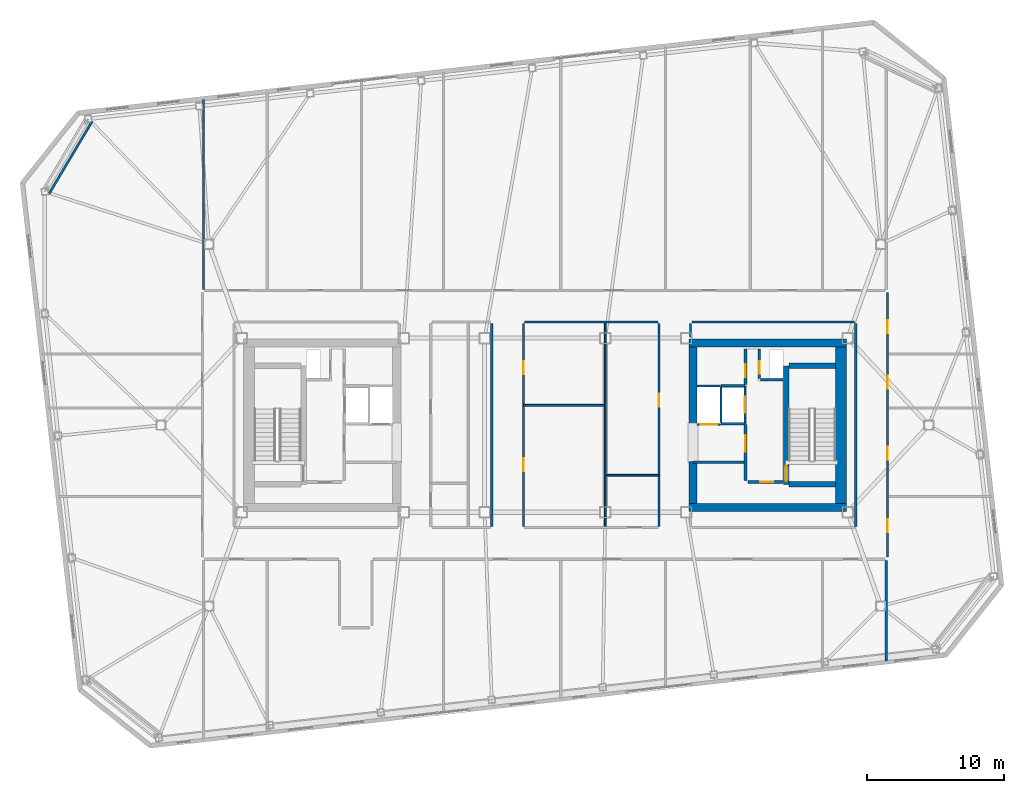
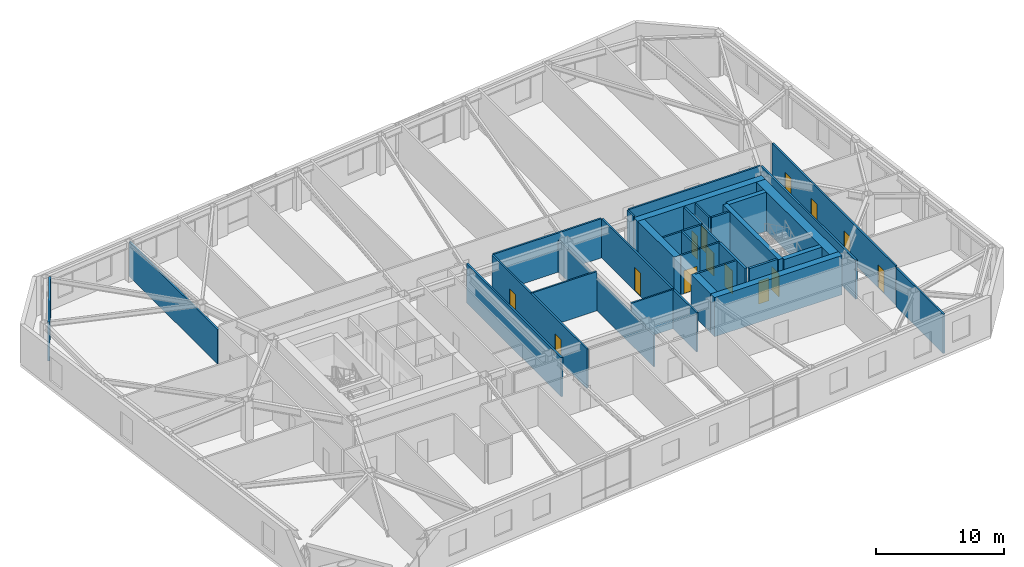
# One storey, part 14 of 19: 34 walls, 14 doors, 14 openings.
"""IFC4 building model written with IfcOpenShell, lengths in metres."""

from ifc_helpers import new_model, si_unit, direction, frame, frame_2d, origin, place, context, subcontext, project, spatial, rectangle, extrude, material, layer, layer_set, type_object, element, fill, save


model = new_model("IFC4")

# Units and contexts
model_context = context("Model", 3, precision=1e-05, world=origin(), true_north=direction((0.0, 1.0)))
body_context = subcontext(model_context, "Body", "Model", "MODEL_VIEW")
ifc_project = project(units=[si_unit("LENGTHUNIT", "METRE"), si_unit("AREAUNIT", "SQUARE_METRE"), si_unit("VOLUMEUNIT", "CUBIC_METRE"), si_unit("PLANEANGLEUNIT", "RADIAN"), si_unit("MASSUNIT", "GRAM", prefix="KILO")], contexts=[model_context])

# Site, building, storey
site_placement = place(None, origin())
site = spatial("IfcSite", under=ifc_project, at=site_placement, CompositionType="ELEMENT")
building_placement = place(site_placement, origin())
building = spatial("IfcBuilding", under=site, at=building_placement, Name="Tavrogorsk Clinical Tower", CompositionType="ELEMENT")
storey_placement = place(building_placement, frame((0.0, 0.0, 259.0)))
storey = spatial("IfcBuildingStorey", under=building, at=storey_placement, Name="L60", CompositionType="ELEMENT", Elevation=259.0)

# Wall, opening, door
ifc_material_1 = material(Name="Concrete B60", Category="concrete")
ifc_layer_1 = layer(ifc_material_1, 0.199951171875)
ifc_layer_set_1 = layer_set([ifc_layer_1], Name="Concrete B60")
wall_type_1 = type_object("IfcWallType", Name="CoreFireWall_200", PredefinedType="SOLIDWALL", material=ifc_layer_set_1)
wall_1_placement = place(storey_placement, frame((14.824951171875, -4.139892578125, 0.0), z_axis=(0.0, 0.0, 1.0), x_axis=(1.0, 0.0, 0.0)))
wall_1 = element("IfcWall", 1, at=wall_1_placement, inside=storey, type_object=wall_type_1, Name="L60 Core East South Core Room Fire Wall", PredefinedType="SOLIDWALL", context=body_context, shape_type="SweptSolid", body=[
    extrude(rectangle(XDim=2.554931640625, YDim=0.199951171875, at=frame_2d((1.27734375, 0.0))), origin(), (0.0, 0.0, 1.0), 3.739990234375),
])
opening_1_placement = place(wall_1_placement, frame((0.8798828125, 0.0, 0.0)))
opening_1 = element("IfcOpeningElement", 2, at=opening_1_placement, cuts=wall_1, Name="Opening ID-02", PredefinedType="OPENING", context=body_context, shape_type="SweptSolid", body=[
    extrude(rectangle(XDim=0.949951171875, YDim=2.199951171875, at=frame_2d((0.47509765625, 1.10009765625))), frame((0.0, 0.10986328125, 0.0), z_axis=(0.0, -1.0, 0.0), x_axis=(1.0, 0.0, 0.0)), (0.0, 0.0, 1.0), 0.219970703125),
])
ifc_material_2 = material(Name="Laminated timber leaf on aluminium frame", Category="wood")
door_type_1 = type_object("IfcDoorType", Name="InteriorDoor_ID02_950", OperationType="NOTDEFINED", PredefinedType="DOOR", material=ifc_material_2)
door_1_placement = place(opening_1_placement, origin())
door_1 = element("IfcDoor", 3, at=door_1_placement, inside=storey, type_object=door_type_1, Name="L60 Core East South Core Room Door", OperationType="SINGLE_SWING_RIGHT", OverallHeight=2.199951171875, OverallWidth=0.949951171875, PredefinedType="DOOR", context=body_context, shape_type="SweptSolid", body=[
    extrude(rectangle(XDim=0.949951171875, YDim=2.199951171875, at=frame_2d((0.47509765625, 1.10009765625))), frame((0.0, 0.02490234375, 0.0), z_axis=(0.0, -1.0, 0.0), x_axis=(1.0, 0.0, 0.0)), (0.0, 0.0, 1.0), 0.050048828125),
])
fill(opening_1, door_1)

wall_2_placement = place(storey_placement, frame((14.639892578125, 2.9599609375, 0.0), z_axis=(0.0, 0.0, 1.0), x_axis=(0.0, 1.0, 0.0)))
wall_2 = element("IfcWall", 4, at=wall_2_placement, inside=storey, type_object=wall_type_1, Name="L60 Core East North Core Room East Wall", PredefinedType="SOLIDWALL", context=body_context, shape_type="SweptSolid", body=[
    extrude(rectangle(XDim=2.60009765625, YDim=0.199951171875, at=frame_2d((1.300048828125, 0.0))), origin(), (0.0, 0.0, 1.0), 3.739990234375),
])
opening_2_placement = place(wall_2_placement, frame((0.52001953125, 0.0, 0.0)))
opening_2 = element("IfcOpeningElement", 5, at=opening_2_placement, cuts=wall_2, Name="Opening ID-02", PredefinedType="OPENING", context=body_context, shape_type="SweptSolid", body=[
    extrude(rectangle(XDim=0.949951171875, YDim=2.199951171875, at=frame_2d((0.47509765625, 1.10009765625))), frame((0.0, 0.10986328125, 0.0), z_axis=(0.0, -1.0, 0.0), x_axis=(1.0, 0.0, 0.0)), (0.0, 0.0, 1.0), 0.219970703125),
])
door_2_placement = place(opening_2_placement, origin())
door_2 = element("IfcDoor", 6, at=door_2_placement, inside=storey, type_object=door_type_1, Name="L60 Core East Core Telemetry Room Door", OperationType="SINGLE_SWING_LEFT", OverallHeight=2.199951171875, OverallWidth=0.949951171875, PredefinedType="DOOR", context=body_context, shape_type="SweptSolid", body=[
    extrude(rectangle(XDim=0.949951171875, YDim=2.199951171875, at=frame_2d((0.47509765625, 1.10009765625))), frame((0.0, 0.02490234375, 0.0), z_axis=(0.0, -1.0, 0.0), x_axis=(1.0, 0.0, 0.0)), (0.0, 0.0, 1.0), 0.050048828125),
])
fill(opening_2, door_2)

wall_3_placement = place(storey_placement, frame((14.639892578125, -4.034912109375, 0.0), z_axis=(0.0, 0.0, 1.0), x_axis=(0.0, 1.0, 0.0)))
wall_3 = element("IfcWall", 7, at=wall_3_placement, inside=storey, type_object=wall_type_1, Name="L60 Core East Firefighting Lobby Fire Wall", PredefinedType="SOLIDWALL", context=body_context, shape_type="SweptSolid", body=[
    extrude(rectangle(XDim=4.074951171875, YDim=0.199951171875, at=frame_2d((2.03759765625, 0.0))), origin(), (0.0, 0.0, 1.0), 3.739990234375),
])
opening_3_placement = place(wall_3_placement, frame((2.090087890625, 0.0, 0.0)))
opening_3 = element("IfcOpeningElement", 8, at=opening_3_placement, cuts=wall_3, Name="Opening FD-01", PredefinedType="OPENING", context=body_context, shape_type="SweptSolid", body=[
    extrude(rectangle(XDim=1.199951171875, YDim=2.199951171875, at=frame_2d((0.60009765625, 1.10009765625))), frame((0.0, 0.10986328125, 0.0), z_axis=(0.0, -1.0, 0.0), x_axis=(1.0, 0.0, 0.0)), (0.0, 0.0, 1.0), 0.219970703125),
])
ifc_material_3 = material(Name="Galvanised steel fire-rated door assembly", Category="steel")
door_type_2 = type_object("IfcDoorType", Name="FireDoor_FD01_1200", OperationType="NOTDEFINED", PredefinedType="DOOR", material=ifc_material_3)
door_3_placement = place(opening_3_placement, origin())
door_3 = element("IfcDoor", 9, at=door_3_placement, inside=storey, type_object=door_type_2, Name="L60 Core East Firefighting Lobby Entry Door", OperationType="SINGLE_SWING_RIGHT", OverallHeight=2.199951171875, OverallWidth=1.199951171875, PredefinedType="DOOR", context=body_context, shape_type="SweptSolid", body=[
    extrude(rectangle(XDim=1.199951171875, YDim=2.199951171875, at=frame_2d((0.60009765625, 1.10009765625))), frame((0.0, 0.02490234375, 0.0), z_axis=(0.0, -1.0, 0.0), x_axis=(1.0, 0.0, 0.0)), (0.0, 0.0, 1.0), 0.050048828125),
])
fill(opening_3, door_3)

# Walls
ifc_material_4 = material(Name="Lightweight concrete blockwork B15", Category="masonry")
ifc_layer_2 = layer(ifc_material_4, 0.139892578125)
ifc_layer_set_2 = layer_set([ifc_layer_2], Name="Lightweight concrete blockwork B15")
wall_type_2 = type_object("IfcWallType", Name="PartitionWall_140", PredefinedType="PARTITIONING", material=ifc_layer_set_2)
wall_4_placement = place(storey_placement, frame((4.39990234375, -7.465087890625, 0.0), z_axis=(0.0, 0.0, 1.0), x_axis=(0.0, 1.0, 0.0)))
element("IfcWall", 10, at=wall_4_placement, inside=storey, type_object=wall_type_2, Name="L60 Central Spine Partition 2", PredefinedType="PARTITIONING", context=body_context, shape_type="SweptSolid", body=[
    extrude(rectangle(XDim=14.97998046875, YDim=0.139892578125, at=frame_2d((7.489990234375, 0.0))), origin(), (0.0, 0.0, 1.0), 3.034912109375),
])
wall_5_placement = place(storey_placement, frame((-1.56494140625, 1.449951171875, 0.0), z_axis=(0.0, 0.0, 1.0), x_axis=(1.0, 0.0, 0.0)))
element("IfcWall", 11, at=wall_5_placement, inside=storey, type_object=wall_type_2, Name="L60 Central Spine Partition 3", PredefinedType="PARTITIONING", context=body_context, shape_type="SweptSolid", body=[
    extrude(rectangle(XDim=5.889892578125, YDim=0.139892578125, at=frame_2d((2.94482421875, 0.0))), origin(), (0.0, 0.0, 1.0), 3.739990234375),
])
wall_6_placement = place(storey_placement, frame((4.47509765625, -3.64990234375, 0.0), z_axis=(0.0, 0.0, 1.0), x_axis=(1.0, 0.0, 0.0)))
element("IfcWall", 12, at=wall_6_placement, inside=storey, type_object=wall_type_2, Name="L60 Central Spine Partition 5", PredefinedType="PARTITIONING", context=body_context, shape_type="SweptSolid", body=[
    extrude(rectangle(XDim=3.83984375, YDim=0.139892578125, at=frame_2d((1.919921875, 0.0))), origin(), (0.0, 0.0, 1.0), 3.739990234375),
])
ifc_material_5 = material(Name="Lightweight concrete blockwork B15", Category="masonry")
ifc_layer_3 = layer(ifc_material_5, 0.159912109375)
ifc_layer_set_3 = layer_set([ifc_layer_3], Name="Lightweight concrete blockwork B15")
wall_type_3 = type_object("IfcWallType", Name="PartitionWall_160", PredefinedType="PARTITIONING", material=ifc_layer_set_3)
wall_7_placement = place(storey_placement, frame((10.800048828125, -2.699951171875, 0.0), z_axis=(0.0, 0.0, 1.0), x_axis=(1.0, 0.0, 0.0)))
element("IfcWall", 13, at=wall_7_placement, inside=storey, type_object=wall_type_3, Name="L60 Core East Freed Mid-Bank North Partition", PredefinedType="PARTITIONING", context=body_context, shape_type="SweptSolid", body=[
    extrude(rectangle(XDim=3.73486328125, YDim=0.159912109375, at=frame_2d((1.867431640625, 0.0))), origin(), (0.0, 0.0, 1.0), 3.739990234375),
])
wall_8_placement = place(storey_placement, frame((-33.016357421875, 22.17138671875, 0.0), z_axis=(0.0, 0.0, 1.0), x_axis=(-0.511385266265, -0.859351563359, 0.0)))
element("IfcWall", 14, at=wall_8_placement, inside=storey, type_object=wall_type_3, Name="L60 Corner Exoskeleton Brace Furring Wall 3", PredefinedType="PARTITIONING", context=body_context, shape_type="SweptSolid", body=[
    extrude(rectangle(XDim=6.181884765625, YDim=0.159912109375, at=frame_2d((3.0908203125, 0.0))), origin(), (0.0, 0.0, 1.0), 3.739990234375),
])

# Wall, openings, doors
wall_9_placement = place(storey_placement, frame((24.97998046875, 9.6650390625, 0.0), z_axis=(0.0, 0.0, 1.0), x_axis=(0.0, -1.0, 0.0)))
wall_9 = element("IfcWall", 15, at=wall_9_placement, inside=storey, type_object=wall_type_3, Name="L60 Corridor Partition 03", PredefinedType="PARTITIONING", context=body_context, shape_type="SweptSolid", body=[
    extrude(rectangle(XDim=19.280029296875, YDim=0.159912109375, at=frame_2d((9.64013671875, 0.0))), origin(), (0.0, 0.0, 1.0), 3.739990234375),
])
opening_4_placement = place(wall_9_placement, frame((16.531005859375, 0.0, 0.0)))
opening_4 = element("IfcOpeningElement", 16, at=opening_4_placement, cuts=wall_9, Name="Opening ID-02", PredefinedType="OPENING", context=body_context, shape_type="SweptSolid", body=[
    extrude(rectangle(XDim=0.949951171875, YDim=2.199951171875, at=frame_2d((0.47509765625, 1.10009765625))), frame((0.0, 0.08984375, 0.0), z_axis=(0.0, -1.0, 0.0), x_axis=(1.0, 0.0, 0.0)), (0.0, 0.0, 1.0), 0.179931640625),
])
opening_5_placement = place(wall_9_placement, frame((11.25, 0.0, 0.0)))
opening_5 = element("IfcOpeningElement", 17, at=opening_5_placement, cuts=wall_9, Name="Opening ID-02", PredefinedType="OPENING", context=body_context, shape_type="SweptSolid", body=[
    extrude(rectangle(XDim=0.949951171875, YDim=2.199951171875, at=frame_2d((0.47509765625, 1.10009765625))), frame((0.0, 0.08984375, 0.0), z_axis=(0.0, -1.0, 0.0), x_axis=(1.0, 0.0, 0.0)), (0.0, 0.0, 1.0), 0.179931640625),
])
opening_6_placement = place(wall_9_placement, frame((6.050048828125, 0.0, 0.0)))
opening_6 = element("IfcOpeningElement", 18, at=opening_6_placement, cuts=wall_9, Name="Opening ID-02", PredefinedType="OPENING", context=body_context, shape_type="SweptSolid", body=[
    extrude(rectangle(XDim=0.949951171875, YDim=2.199951171875, at=frame_2d((0.47509765625, 1.10009765625))), frame((0.0, 0.08984375, 0.0), z_axis=(0.0, -1.0, 0.0), x_axis=(1.0, 0.0, 0.0)), (0.0, 0.0, 1.0), 0.179931640625),
])
opening_7_placement = place(wall_9_placement, frame((1.994140625, 0.0, 0.0)))
opening_7 = element("IfcOpeningElement", 19, at=opening_7_placement, cuts=wall_9, Name="Opening ID-02", PredefinedType="OPENING", context=body_context, shape_type="SweptSolid", body=[
    extrude(rectangle(XDim=0.949951171875, YDim=2.199951171875, at=frame_2d((0.47509765625, 1.10009765625))), frame((0.0, 0.08984375, 0.0), z_axis=(0.0, -1.0, 0.0), x_axis=(1.0, 0.0, 0.0)), (0.0, 0.0, 1.0), 0.179931640625),
])
door_4_placement = place(opening_4_placement, origin())
door_4 = element("IfcDoor", 20, at=door_4_placement, inside=storey, type_object=door_type_1, Name="L60 E Senior Clinician Suite 1 Door", OperationType="SINGLE_SWING_LEFT", OverallHeight=2.199951171875, OverallWidth=0.949951171875, PredefinedType="DOOR", context=body_context, shape_type="SweptSolid", body=[
    extrude(rectangle(XDim=0.949951171875, YDim=2.199951171875, at=frame_2d((0.47509765625, 1.10009765625))), frame((0.0, 0.02490234375, 0.0), z_axis=(0.0, -1.0, 0.0), x_axis=(1.0, 0.0, 0.0)), (0.0, 0.0, 1.0), 0.050048828125),
])
fill(opening_4, door_4)
door_5_placement = place(opening_5_placement, origin())
door_5 = element("IfcDoor", 21, at=door_5_placement, inside=storey, type_object=door_type_1, Name="L60 E Multidisciplinary Seminar Suite 2 Door", OperationType="SINGLE_SWING_RIGHT", OverallHeight=2.199951171875, OverallWidth=0.949951171875, PredefinedType="DOOR", context=body_context, shape_type="SweptSolid", body=[
    extrude(rectangle(XDim=0.949951171875, YDim=2.199951171875, at=frame_2d((0.47509765625, 1.10009765625))), frame((0.0, 0.02490234375, 0.0), z_axis=(0.0, -1.0, 0.0), x_axis=(1.0, 0.0, 0.0)), (0.0, 0.0, 1.0), 0.050048828125),
])
fill(opening_5, door_5)
door_6_placement = place(opening_6_placement, origin())
door_6 = element("IfcDoor", 22, at=door_6_placement, inside=storey, type_object=door_type_1, Name="L60 E Specialist Consultation Room 3 Door", OperationType="SINGLE_SWING_LEFT", OverallHeight=2.199951171875, OverallWidth=0.949951171875, PredefinedType="DOOR", context=body_context, shape_type="SweptSolid", body=[
    extrude(rectangle(XDim=0.949951171875, YDim=2.199951171875, at=frame_2d((0.47509765625, 1.10009765625))), frame((0.0, 0.02490234375, 0.0), z_axis=(0.0, -1.0, 0.0), x_axis=(1.0, 0.0, 0.0)), (0.0, 0.0, 1.0), 0.050048828125),
])
fill(opening_6, door_6)
door_7_placement = place(opening_7_placement, origin())
door_7 = element("IfcDoor", 23, at=door_7_placement, inside=storey, type_object=door_type_1, Name="L60 E Clinical Fellows' Study 4 Door", OperationType="SINGLE_SWING_RIGHT", OverallHeight=2.199951171875, OverallWidth=0.949951171875, PredefinedType="DOOR", context=body_context, shape_type="SweptSolid", body=[
    extrude(rectangle(XDim=0.949951171875, YDim=2.199951171875, at=frame_2d((0.47509765625, 1.10009765625))), frame((0.0, 0.02490234375, 0.0), z_axis=(0.0, -1.0, 0.0), x_axis=(1.0, 0.0, 0.0)), (0.0, 0.0, 1.0), 0.050048828125),
])
fill(opening_7, door_7)

# Walls
wall_10_placement = place(storey_placement, frame((22.5849609375, 7.52001953125, 0.0), z_axis=(0.0, 0.0, 1.0), x_axis=(-1.0, 0.0, 0.0)))
element("IfcWall", 24, at=wall_10_placement, inside=storey, type_object=wall_type_3, Name="L60 Corridor Partition 09", PredefinedType="PARTITIONING", context=body_context, shape_type="SweptSolid", body=[
    extrude(rectangle(XDim=11.869873046875, YDim=0.159912109375, at=frame_2d((5.93505859375, 0.0))), origin(), (0.0, 0.0, 1.0), 3.739990234375),
])
wall_11_placement = place(storey_placement, frame((10.6298828125, 7.43505859375, 0.0), z_axis=(0.0, 0.0, 1.0), x_axis=(0.0, -1.0, 0.0)))
element("IfcWall", 25, at=wall_11_placement, inside=storey, type_object=wall_type_3, Name="L60 Corridor Partition 10", PredefinedType="PARTITIONING", context=body_context, shape_type="SweptSolid", body=[
    extrude(rectangle(XDim=1.01513671875, YDim=0.159912109375, at=frame_2d((0.507568359375, 0.0))), origin(), (0.0, 0.0, 1.0), 3.739990234375),
])
wall_12_placement = place(storey_placement, frame((22.669921875, -7.385009765625, 0.0), z_axis=(0.0, 0.0, 1.0), x_axis=(0.0, 1.0, 0.0)))
element("IfcWall", 26, at=wall_12_placement, inside=storey, type_object=wall_type_3, Name="L60 Corridor Partition 13", PredefinedType="PARTITIONING", context=body_context, shape_type="SweptSolid", body=[
    extrude(rectangle(XDim=14.820068359375, YDim=0.159912109375, at=frame_2d((7.41015625, 0.0))), origin(), (0.0, 0.0, 1.0), 3.739990234375),
])
wall_13_placement = place(storey_placement, frame((8.235107421875, 7.52001953125, 0.0), z_axis=(0.0, 0.0, 1.0), x_axis=(-1.0, 0.0, 0.0)))
element("IfcWall", 27, at=wall_13_placement, inside=storey, type_object=wall_type_3, Name="L60 Corridor Partition 14", PredefinedType="PARTITIONING", context=body_context, shape_type="SweptSolid", body=[
    extrude(rectangle(XDim=9.72021484375, YDim=0.159912109375, at=frame_2d((4.860107421875, 0.0))), origin(), (0.0, 0.0, 1.0), 3.739990234375),
])

# Wall, openings, doors
wall_14_placement = place(storey_placement, frame((-1.570068359375, 7.43505859375, 0.0), z_axis=(0.0, 0.0, 1.0), x_axis=(0.0, -1.0, 0.0)))
wall_14 = element("IfcWall", 28, at=wall_14_placement, inside=storey, type_object=wall_type_3, Name="L60 Corridor Partition 15", PredefinedType="PARTITIONING", context=body_context, shape_type="SweptSolid", body=[
    extrude(rectangle(XDim=14.820068359375, YDim=0.159912109375, at=frame_2d((7.41015625, 0.0))), origin(), (0.0, 0.0, 1.0), 3.739990234375),
])
opening_8_placement = place(wall_14_placement, frame((9.86083984375, 0.0, 0.0)))
opening_8 = element("IfcOpeningElement", 29, at=opening_8_placement, cuts=wall_14, Name="Opening ID-02", PredefinedType="OPENING", context=body_context, shape_type="SweptSolid", body=[
    extrude(rectangle(XDim=0.949951171875, YDim=2.199951171875, at=frame_2d((0.47509765625, 1.10009765625))), frame((0.0, 0.08984375, 0.0), z_axis=(0.0, -1.0, 0.0), x_axis=(1.0, 0.0, 0.0)), (0.0, 0.0, 1.0), 0.179931640625),
])
opening_9_placement = place(wall_14_placement, frame((2.754150390625, 0.0, 0.0)))
opening_9 = element("IfcOpeningElement", 30, at=opening_9_placement, cuts=wall_14, Name="Opening ID-02", PredefinedType="OPENING", context=body_context, shape_type="SweptSolid", body=[
    extrude(rectangle(XDim=0.949951171875, YDim=2.199951171875, at=frame_2d((0.47509765625, 1.10009765625))), frame((0.0, 0.08984375, 0.0), z_axis=(0.0, -1.0, 0.0), x_axis=(1.0, 0.0, 0.0)), (0.0, 0.0, 1.0), 0.179931640625),
])
door_8_placement = place(opening_8_placement, origin())
door_8 = element("IfcDoor", 31, at=door_8_placement, inside=storey, type_object=door_type_1, Name="L60 Multidisciplinary Conference Room Door", OperationType="SINGLE_SWING_LEFT", OverallHeight=2.199951171875, OverallWidth=0.949951171875, PredefinedType="DOOR", context=body_context, shape_type="SweptSolid", body=[
    extrude(rectangle(XDim=0.949951171875, YDim=2.199951171875, at=frame_2d((0.47509765625, 1.10009765625))), frame((0.0, 0.02490234375, 0.0), z_axis=(0.0, -1.0, 0.0), x_axis=(1.0, 0.0, 0.0)), (0.0, 0.0, 1.0), 0.050048828125),
])
fill(opening_8, door_8)
door_9_placement = place(opening_9_placement, origin())
door_9 = element("IfcDoor", 32, at=door_9_placement, inside=storey, type_object=door_type_1, Name="L60 Nurses' Station & Triage Hub Door", OperationType="SINGLE_SWING_RIGHT", OverallHeight=2.199951171875, OverallWidth=0.949951171875, PredefinedType="DOOR", context=body_context, shape_type="SweptSolid", body=[
    extrude(rectangle(XDim=0.949951171875, YDim=2.199951171875, at=frame_2d((0.47509765625, 1.10009765625))), frame((0.0, 0.02490234375, 0.0), z_axis=(0.0, -1.0, 0.0), x_axis=(1.0, 0.0, 0.0)), (0.0, 0.0, 1.0), 0.050048828125),
])
fill(opening_9, door_9)

# Wall, opening, door
wall_15_placement = place(storey_placement, frame((8.320068359375, -7.385009765625, 0.0), z_axis=(0.0, 0.0, 1.0), x_axis=(0.0, 1.0, 0.0)))
wall_15 = element("IfcWall", 33, at=wall_15_placement, inside=storey, type_object=wall_type_3, Name="L60 Corridor Partition 17", PredefinedType="PARTITIONING", context=body_context, shape_type="SweptSolid", body=[
    extrude(rectangle(XDim=14.820068359375, YDim=0.159912109375, at=frame_2d((7.41015625, 0.0))), origin(), (0.0, 0.0, 1.0), 3.739990234375),
])
opening_10_placement = place(wall_15_placement, frame((8.73583984375, 0.0, 0.0)))
opening_10 = element("IfcOpeningElement", 34, at=opening_10_placement, cuts=wall_15, Name="Opening ID-02", PredefinedType="OPENING", context=body_context, shape_type="SweptSolid", body=[
    extrude(rectangle(XDim=0.949951171875, YDim=2.199951171875, at=frame_2d((0.47509765625, 1.10009765625))), frame((0.0, 0.08984375, 0.0), z_axis=(0.0, -1.0, 0.0), x_axis=(1.0, 0.0, 0.0)), (0.0, 0.0, 1.0), 0.179931640625),
])
door_10_placement = place(opening_10_placement, origin())
door_10 = element("IfcDoor", 35, at=door_10_placement, inside=storey, type_object=door_type_1, Name="L60 Attending Physician Office Door", OperationType="SINGLE_SWING_RIGHT", OverallHeight=2.199951171875, OverallWidth=0.949951171875, PredefinedType="DOOR", context=body_context, shape_type="SweptSolid", body=[
    extrude(rectangle(XDim=0.949951171875, YDim=2.199951171875, at=frame_2d((0.47509765625, 1.10009765625))), frame((0.0, 0.02490234375, 0.0), z_axis=(0.0, -1.0, 0.0), x_axis=(1.0, 0.0, 0.0)), (0.0, 0.0, 1.0), 0.050048828125),
])
fill(opening_10, door_10)

# Walls
wall_16_placement = place(storey_placement, frame((-3.8798828125, -7.385009765625, 0.0), z_axis=(0.0, 0.0, 1.0), x_axis=(0.0, 1.0, 0.0)))
element("IfcWall", 36, at=wall_16_placement, inside=storey, type_object=wall_type_3, Name="L60 Corridor Partition 18", PredefinedType="PARTITIONING", context=body_context, shape_type="SweptSolid", body=[
    extrude(rectangle(XDim=14.820068359375, YDim=0.159912109375, at=frame_2d((7.41015625, 0.0))), origin(), (0.0, 0.0, 1.0), 3.739990234375),
])
wall_17_placement = place(storey_placement, frame((-24.89990234375, 9.9150390625, 0.0), z_axis=(0.0, 0.0, 1.0), x_axis=(0.0, 1.0, 0.0)))
element("IfcWall", 37, at=wall_17_placement, inside=storey, type_object=wall_type_3, Name="L60 NW Wing Closure Partition", PredefinedType="PARTITIONING", context=body_context, shape_type="SweptSolid", body=[
    extrude(rectangle(XDim=13.831298828125, YDim=0.159912109375, at=frame_2d((6.91552734375, 0.0))), origin(), (0.0, 0.0, 1.0), 3.284912109375),
])
wall_18_placement = place(storey_placement, frame((24.89990234375, -17.199462890625, 0.0), z_axis=(0.0, 0.0, 1.0), x_axis=(0.0, 1.0, 0.0)))
element("IfcWall", 38, at=wall_18_placement, inside=storey, type_object=wall_type_3, Name="L60 SE Wing Closure Partition", PredefinedType="PARTITIONING", context=body_context, shape_type="SweptSolid", body=[
    extrude(rectangle(XDim=7.33447265625, YDim=0.159912109375, at=frame_2d((3.667236328125, 0.0))), origin(), (0.0, 0.0, 1.0), 3.739990234375),
])

# Wall, opening, door
ifc_material_6 = material(Name="Lightweight concrete blockwork B25", Category="masonry")
ifc_layer_4 = layer(ifc_material_6, 0.159912109375)
ifc_layer_set_4 = layer_set([ifc_layer_4], Name="Lightweight concrete blockwork B25")
wall_type_4 = type_object("IfcWallType", Name="ShaftWall_160", PredefinedType="PARTITIONING", material=ifc_layer_set_4)
wall_19_placement = place(storey_placement, frame((14.60009765625, 0.1201171875, 0.0), z_axis=(0.0, 0.0, 1.0), x_axis=(0.0, 1.0, 0.0)))
wall_19 = element("IfcWall", 39, at=wall_19_placement, inside=storey, type_object=wall_type_4, Name="L60 FFL-E Firefighting Lift Front Wall", PredefinedType="PARTITIONING", context=body_context, shape_type="SweptSolid", body=[
    extrude(rectangle(XDim=2.739990234375, YDim=0.159912109375, at=frame_2d((1.3701171875, 0.0))), origin(), (0.0, 0.0, 1.0), 3.739990234375),
])
opening_11_placement = place(wall_19_placement, frame((0.77001953125, 0.0, 0.0)))
opening_11 = element("IfcOpeningElement", 40, at=opening_11_placement, cuts=wall_19, Name="Opening LD", PredefinedType="OPENING", context=body_context, shape_type="SweptSolid", body=[
    extrude(rectangle(XDim=1.199951171875, YDim=2.199951171875, at=frame_2d((0.60009765625, 1.10009765625))), frame((0.0, 0.08984375, 0.0), z_axis=(0.0, -1.0, 0.0), x_axis=(1.0, 0.0, 0.0)), (0.0, 0.0, 1.0), 0.179931640625),
])
ifc_material_7 = material(Name="Brushed stainless steel AISI 304 sliding doors", Category="steel")
door_type_3 = type_object("IfcDoorType", Name="LiftLandingDoor_LD_1200", OperationType="SLIDING_TO_LEFT", PredefinedType="DOOR", material=ifc_material_7)
door_11_placement = place(opening_11_placement, origin())
door_11 = element("IfcDoor", 41, at=door_11_placement, inside=storey, type_object=door_type_3, Name="L60 FFL-E Sliding Lift Landing Door", OperationType="SLIDING_TO_LEFT", OverallHeight=2.199951171875, OverallWidth=1.199951171875, PredefinedType="DOOR", context=body_context, shape_type="SweptSolid", body=[
    extrude(rectangle(XDim=1.199951171875, YDim=2.199951171875, at=frame_2d((0.60009765625, 1.10009765625))), frame((0.0, 0.02490234375, 0.0), z_axis=(0.0, -1.0, 0.0), x_axis=(1.0, 0.0, 0.0)), (0.0, 0.0, 1.0), 0.050048828125),
])
fill(opening_11, door_11)

# Walls
for number, where, z_axis, x_axis, name in (
    (42, (12.840087890625, 0.10009765625, 0.0), (0.0, 0.0, 1.0), (1.0, 0.0, 0.0), "L60 FFL-E Shaft South Wall"),
    (43, (12.840087890625, 2.8798828125, 0.0), (0.0, 0.0, 1.0), (1.0, 0.0, 0.0), "L60 FFL-E Shaft North Wall"),
):
    element("IfcWall", number, at=place(storey_placement, frame(where, z_axis=z_axis, x_axis=x_axis)), inside=storey, type_object=wall_type_4, Name=name, PredefinedType="PARTITIONING", context=body_context, shape_type="SweptSolid", body=[
        extrude(rectangle(XDim=1.760009765625, YDim=0.159912109375, at=frame_2d((0.8798828125, 0.0))), origin(), (0.0, 0.0, 1.0), 3.739990234375),
    ])
wall_20_placement = place(storey_placement, frame((12.840087890625, 0.179931640625, 0.0), z_axis=(0.0, 0.0, 1.0), x_axis=(0.0, 1.0, 0.0)))
element("IfcWall", 44, at=wall_20_placement, inside=storey, type_object=wall_type_4, Name="L60 FFL-E Shaft Back Wall", PredefinedType="PARTITIONING", context=body_context, shape_type="SweptSolid", body=[
    extrude(rectangle(XDim=2.6201171875, YDim=0.159912109375, at=frame_2d((1.31005859375, 0.0))), origin(), (0.0, 0.0, 1.0), 3.739990234375),
])

# Wall, opening, door
wall_21_placement = place(storey_placement, frame((11.10009765625, 0.06005859375, 0.0), z_axis=(0.0, 0.0, 1.0), x_axis=(1.0, 0.0, 0.0)))
wall_21 = element("IfcWall", 45, at=wall_21_placement, inside=storey, type_object=wall_type_4, Name="L60 LP-H2 High-Zone Lift Portal Wall", PredefinedType="PARTITIONING", context=body_context, shape_type="SweptSolid", body=[
    extrude(rectangle(XDim=1.719970703125, YDim=0.159912109375, at=frame_2d((0.85986328125, 0.0))), origin(), (0.0, 0.0, 1.0), 3.739990234375),
])
opening_12_placement = place(wall_21_placement, frame((0.260009765625, 0.0, 0.0)))
opening_12 = element("IfcOpeningElement", 46, at=opening_12_placement, cuts=wall_21, Name="Opening LD", PredefinedType="OPENING", context=body_context, shape_type="SweptSolid", body=[
    extrude(rectangle(XDim=1.199951171875, YDim=2.199951171875, at=frame_2d((0.60009765625, 1.10009765625))), frame((0.0, 0.08984375, 0.0), z_axis=(0.0, -1.0, 0.0), x_axis=(1.0, 0.0, 0.0)), (0.0, 0.0, 1.0), 0.179931640625),
])
door_12_placement = place(opening_12_placement, origin())
door_12 = element("IfcDoor", 47, at=door_12_placement, inside=storey, type_object=door_type_3, Name="L60 LP-H2 Sliding Lift Landing Door", OperationType="SLIDING_TO_LEFT", OverallHeight=2.199951171875, OverallWidth=1.199951171875, PredefinedType="DOOR", context=body_context, shape_type="SweptSolid", body=[
    extrude(rectangle(XDim=1.199951171875, YDim=2.199951171875, at=frame_2d((0.60009765625, 1.10009765625))), frame((0.0, 0.02490234375, 0.0), z_axis=(0.0, -1.0, 0.0), x_axis=(1.0, 0.0, 0.0)), (0.0, 0.0, 1.0), 0.050048828125),
])
fill(opening_12, door_12)

# Wall
wall_22_placement = place(storey_placement, frame((11.10009765625, 2.860107421875, 0.0), z_axis=(0.0, 0.0, 1.0), x_axis=(1.0, 0.0, 0.0)))
element("IfcWall", 48, at=wall_22_placement, inside=storey, type_object=wall_type_4, Name="L60 LP-H2 High-Zone Lift Rear Wall", PredefinedType="PARTITIONING", context=body_context, shape_type="SweptSolid", body=[
    extrude(rectangle(XDim=1.719970703125, YDim=0.159912109375, at=frame_2d((0.85986328125, 0.0))), origin(), (0.0, 0.0, 1.0), 3.739990234375),
])

# Wall, opening, door
wall_23_placement = place(storey_placement, frame((15.639892578125, 3.405029296875, 0.0), z_axis=(0.0, 0.0, 1.0), x_axis=(0.0, 1.0, 0.0)))
wall_23 = element("IfcWall", 49, at=wall_23_placement, inside=storey, type_object=wall_type_4, Name="L60 Core East Riser West Wall", PredefinedType="PARTITIONING", context=body_context, shape_type="SweptSolid", body=[
    extrude(rectangle(XDim=2.155029296875, YDim=0.159912109375, at=frame_2d((1.07763671875, 0.0))), origin(), (0.0, 0.0, 1.0), 3.739990234375),
])
opening_13_placement = place(wall_23_placement, frame((0.35009765625, 0.0, 0.0)))
opening_13 = element("IfcOpeningElement", 50, at=opening_13_placement, cuts=wall_23, Name="Opening FD-02", PredefinedType="OPENING", context=body_context, shape_type="SweptSolid", body=[
    extrude(rectangle(XDim=0.89990234375, YDim=2.199951171875, at=frame_2d((0.449951171875, 1.10009765625))), frame((0.0, 0.08984375, 0.0), z_axis=(0.0, -1.0, 0.0), x_axis=(1.0, 0.0, 0.0)), (0.0, 0.0, 1.0), 0.179931640625),
])
ifc_material_8 = material(Name="Galvanised steel fire-rated door assembly", Category="steel")
door_type_4 = type_object("IfcDoorType", Name="FireDoor_FD02_900", OperationType="NOTDEFINED", PredefinedType="DOOR", material=ifc_material_8)
door_13_placement = place(opening_13_placement, origin())
door_13 = element("IfcDoor", 51, at=door_13_placement, inside=storey, type_object=door_type_4, Name="L60 Core East Electrical Riser Access Door", OperationType="SINGLE_SWING_LEFT", OverallHeight=2.199951171875, OverallWidth=0.89990234375, PredefinedType="DOOR", context=body_context, shape_type="SweptSolid", body=[
    extrude(rectangle(XDim=0.89990234375, YDim=2.199951171875, at=frame_2d((0.449951171875, 1.10009765625))), frame((0.0, 0.02490234375, 0.0), z_axis=(0.0, -1.0, 0.0), x_axis=(1.0, 0.0, 0.0)), (0.0, 0.0, 1.0), 0.050048828125),
])
fill(opening_13, door_13)

# Wall
wall_24_placement = place(storey_placement, frame((15.72509765625, 3.320068359375, 0.0), z_axis=(0.0, 0.0, 1.0), x_axis=(1.0, 0.0, 0.0)))
element("IfcWall", 52, at=wall_24_placement, inside=storey, type_object=wall_type_4, Name="L60 Core East Riser South Wall", PredefinedType="PARTITIONING", context=body_context, shape_type="SweptSolid", body=[
    extrude(rectangle(XDim=1.65478515625, YDim=0.159912109375, at=frame_2d((0.827392578125, 0.0))), origin(), (0.0, 0.0, 1.0), 3.739990234375),
])

# Wall, opening, door
ifc_material_9 = material(Name="Concrete B80", Category="concrete")
ifc_layer_5 = layer(ifc_material_9, 0.39990234375)
ifc_layer_set_5 = layer_set([ifc_layer_5], Name="Concrete B80")
wall_type_5 = type_object("IfcWallType", Name="ShearWall_400", PredefinedType="SHEAR", material=ifc_layer_set_5)
wall_25_placement = place(storey_placement, frame((17.60009765625, -4.324951171875, 0.0), z_axis=(0.0, 0.0, 1.0), x_axis=(0.0, 1.0, 0.0)))
wall_25 = element("IfcWall", 53, at=wall_25_placement, inside=storey, type_object=wall_type_5, Name="L60 Core East Stair Shaft Inner Shear Wall", PredefinedType="SHEAR", context=body_context, shape_type="SweptSolid", body=[
    extrude(rectangle(XDim=8.64990234375, YDim=0.39990234375, at=frame_2d((4.324951171875, 0.0))), origin(), (0.0, 0.0, 1.0), 3.739990234375),
])
opening_14_placement = place(wall_25_placement, frame((0.25, 0.0, 0.0)))
opening_14 = element("IfcOpeningElement", 54, at=opening_14_placement, cuts=wall_25, Name="Opening SD-01", PredefinedType="OPENING", context=body_context, shape_type="SweptSolid", body=[
    extrude(rectangle(XDim=1.10009765625, YDim=2.199951171875, at=frame_2d((0.550048828125, 1.10009765625))), frame((0.0, 0.2099609375, 0.0), z_axis=(0.0, -1.0, 0.0), x_axis=(1.0, 0.0, 0.0)), (0.0, 0.0, 1.0), 0.419921875),
])
ifc_material_10 = material(Name="Galvanised steel smoke-tight fire door assembly", Category="steel")
door_type_5 = type_object("IfcDoorType", Name="StairFireDoor_SD01_1100", OperationType="NOTDEFINED", PredefinedType="DOOR", material=ifc_material_10)
door_14_placement = place(opening_14_placement, origin())
door_14 = element("IfcDoor", 55, at=door_14_placement, inside=storey, type_object=door_type_5, Name="L60 ST-E Exit Stair Door", OperationType="SINGLE_SWING_LEFT", OverallHeight=2.199951171875, OverallWidth=1.10009765625, PredefinedType="DOOR", context=body_context, shape_type="SweptSolid", body=[
    extrude(rectangle(XDim=1.10009765625, YDim=2.199951171875, at=frame_2d((0.550048828125, 1.10009765625))), frame((0.0, 0.02490234375, 0.0), z_axis=(0.0, -1.0, 0.0), x_axis=(1.0, 0.0, 0.0)), (0.0, 0.0, 1.0), 0.050048828125),
])
fill(opening_14, door_14)

# Walls
for number, where, z_axis, x_axis, name in (
    (56, (17.800048828125, -4.324951171875, 0.0), (0.0, 0.0, 1.0), (1.0, 0.0, 0.0), "L60 Core East Stair Shaft South Shear Wall"),
    (57, (17.800048828125, 4.324951171875, 0.0), (0.0, 0.0, 1.0), (1.0, 0.0, 0.0), "L60 Core East Stair Shaft North Shear Wall"),
):
    element("IfcWall", number, at=place(storey_placement, frame(where, z_axis=z_axis, x_axis=x_axis)), inside=storey, type_object=wall_type_5, Name=name, PredefinedType="SHEAR", context=body_context, shape_type="SweptSolid", body=[
        extrude(rectangle(XDim=3.39990234375, YDim=0.39990234375, at=frame_2d((1.699951171875, 0.0))), origin(), (0.0, 0.0, 1.0), 3.739990234375),
    ])
ifc_material_11 = material(Name="Concrete B80", Category="concrete")
ifc_layer_6 = layer(ifc_material_11, 0.60009765625)
ifc_layer_set_6 = layer_set([ifc_layer_6], Name="Concrete B80")
wall_type_6 = type_object("IfcWallType", Name="ShearWall_600", PredefinedType="SHEAR", material=ifc_layer_set_6)
for number, where, z_axis, x_axis, name in (
    (58, (10.5, 6.0, 0.0), (0.0, 0.0, 1.0), (1.0, 0.0, 0.0), "L60 Core East North Shear Wall"),
    (59, (10.5, -6.0, 0.0), (0.0, 0.0, 1.0), (1.0, 0.0, 0.0), "L60 Core East South Shear Wall"),
):
    element("IfcWall", number, at=place(storey_placement, frame(where, z_axis=z_axis, x_axis=x_axis)), inside=storey, type_object=wall_type_6, Name=name, PredefinedType="SHEAR", context=body_context, shape_type="SweptSolid", body=[
        extrude(rectangle(XDim=11.5, YDim=0.60009765625, at=frame_2d((5.75, 0.0))), origin(), (0.0, 0.0, 1.0), 3.739990234375),
    ])
wall_26_placement = place(storey_placement, frame((10.800048828125, -5.699951171875, 0.0), z_axis=(0.0, 0.0, 1.0), x_axis=(0.0, 1.0, 0.0)))
element("IfcWall", 60, at=wall_26_placement, inside=storey, type_object=wall_type_6, Name="L60 Core East Inner South Pier", PredefinedType="SHEAR", context=body_context, shape_type="SweptSolid", body=[
    extrude(rectangle(XDim=3.050048828125, YDim=0.60009765625, at=frame_2d((1.52490234375, 0.0))), origin(), (0.0, 0.0, 1.0), 3.739990234375),
])
wall_27_placement = place(storey_placement, frame((10.800048828125, 0.050048828125, 0.0), z_axis=(0.0, 0.0, 1.0), x_axis=(0.0, 1.0, 0.0)))
element("IfcWall", 61, at=wall_27_placement, inside=storey, type_object=wall_type_6, Name="L60 Core East Inner North Pier", PredefinedType="SHEAR", context=body_context, shape_type="SweptSolid", body=[
    extrude(rectangle(XDim=5.64990234375, YDim=0.60009765625, at=frame_2d((2.824951171875, 0.0))), origin(), (0.0, 0.0, 1.0), 3.739990234375),
])
ifc_material_12 = material(Name="Concrete B80", Category="concrete")
ifc_layer_7 = layer(ifc_material_12, 0.800048828125)
ifc_layer_set_7 = layer_set([ifc_layer_7], Name="Concrete B80")
wall_type_7 = type_object("IfcWallType", Name="ShearWall_800", PredefinedType="SHEAR", material=ifc_layer_set_7)
wall_28_placement = place(storey_placement, frame((21.60009765625, -5.699951171875, 0.0), z_axis=(0.0, 0.0, 1.0), x_axis=(0.0, 1.0, 0.0)))
element("IfcWall", 62, at=wall_28_placement, inside=storey, type_object=wall_type_7, Name="L60 Core East End Shear Wall", PredefinedType="SHEAR", context=body_context, shape_type="SweptSolid", body=[
    extrude(rectangle(XDim=11.39990234375, YDim=0.800048828125, at=frame_2d((5.699951171875, 0.0))), origin(), (0.0, 0.0, 1.0), 3.739990234375),
])

save(model, "model.ifc")
